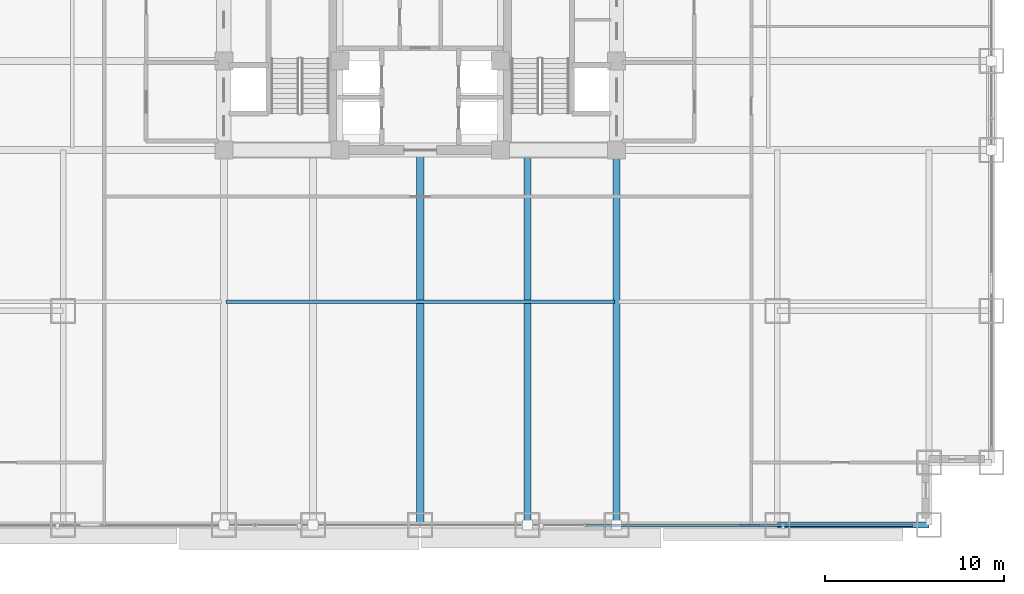
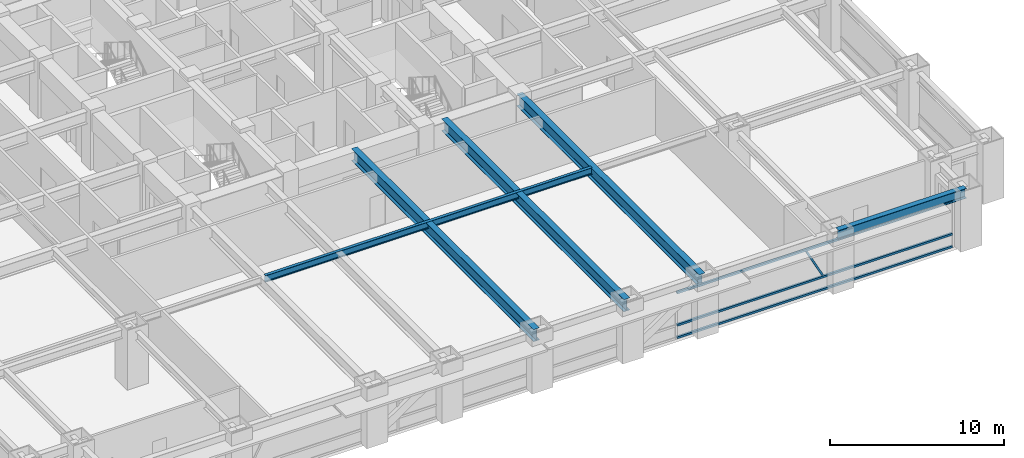
# One storey, part 9 of 31: 5 beams, 4 members, 1 element without a shape of its own.
"""IFC4 building model written with IfcOpenShell, lengths in metres."""

from ifc_helpers import new_model, si_unit, direction, frame, origin, origin_2d, place, context, subcontext, project, spatial, hollow_rectangle, i_section, extrude, source, transform, mapped, material, material_profile, profile_set, type_object, element, aggregate, save


model = new_model("IFC4")

# Units and contexts
model_context = context("Model", 3, precision=1e-05, world=origin(), true_north=direction((0.0, 1.0)))
body_context = subcontext(model_context, "Body", "Model", "MODEL_VIEW")
ifc_project = project(units=[si_unit("LENGTHUNIT", "METRE"), si_unit("AREAUNIT", "SQUARE_METRE"), si_unit("VOLUMEUNIT", "CUBIC_METRE"), si_unit("PLANEANGLEUNIT", "RADIAN"), si_unit("MASSUNIT", "GRAM", prefix="KILO")], contexts=[model_context])

# Site, building, storey
site_placement = place(None, origin())
site = spatial("IfcSite", under=ifc_project, at=site_placement, CompositionType="ELEMENT")
building_placement = place(site_placement, origin())
building = spatial("IfcBuilding", under=site, at=building_placement, Name="Khorayat Bourse Tower", CompositionType="ELEMENT")
storey_placement = place(building_placement, frame((0.0, 0.0, 41.0)))
storey = spatial("IfcBuildingStorey", under=building, at=storey_placement, Name="L08", CompositionType="ELEMENT", Elevation=41.0)

# Beams
ifc_material_1 = material(Name="Steel ASTM A992 Grade 50", Category="steel")
ifc_material_profile_1 = material_profile(ifc_material_1, i_section(OverallWidth=0.35498046875, OverallDepth=0.695068359375, WebThickness=0.015380859375, FlangeThickness=0.02490234375, FilletRadius=0.01806640625, at=origin_2d()), Name="W690X217")
ifc_profile_set_1 = profile_set([ifc_material_profile_1], Name="Steel ASTM A992 Grade 50")
beam_type_1 = type_object("IfcBeamType", Name="BM-SPAN-690", PredefinedType="SPANDREL", material=ifc_profile_set_1)
shared_shape_1 = source(origin(), body_context, "Body", "SweptSolid", [
    extrude(i_section(OverallWidth=0.35498046875, OverallDepth=0.695068359375, WebThickness=0.015380859375, FlangeThickness=0.02490234375, FilletRadius=0.01806640625, at=origin_2d()), origin(), (0.0, 0.0, 1.0), 8.5),
])
beam_1_placement = place(storey_placement, frame((20.0, -32.0, 3.592529296875), z_axis=(1.0, 0.0, 0.0), x_axis=(0.0, 1.0, 0.0)))
element("IfcBeam", 1, at=beam_1_placement, inside=storey, type_object=beam_type_1, Name="L08 BM-SPAN-690 BM-L08-SPN-031", PredefinedType="SPANDREL", context=body_context, shape_type="MappedRepresentation", body=[
    mapped(shared_shape_1, transform((0.0, 0.0, 0.0), scale=1.0)),
])
ifc_material_profile_2 = material_profile(ifc_material_1, i_section(OverallWidth=0.39990234375, OverallDepth=0.85498046875, WebThickness=0.018310546875, FlangeThickness=0.029296875, FilletRadius=0.02001953125, at=origin_2d()), Name="W840X299")
ifc_profile_set_2 = profile_set([ifc_material_profile_2], Name="Steel ASTM A992 Grade 50")
beam_type_2 = type_object("IfcBeamType", Name="BM-GIRD-840", PredefinedType="BEAM", material=ifc_profile_set_2)
shared_shape_2 = source(origin(), body_context, "Body", "SweptSolid", [
    extrude(i_section(OverallWidth=0.39990234375, OverallDepth=0.85498046875, WebThickness=0.018310546875, FlangeThickness=0.029296875, FilletRadius=0.02001953125, at=origin_2d()), origin(), (0.0, 0.0, 1.0), 21.0),
])
for number, where, z_axis, x_axis, name in (
    (2, (0.0, -32.0, 3.512451171875), (0.0, 1.0, 0.0), (-1.0, 0.0, 0.0), "L08 BM-GIRD-840 BM-L08-RADY-069"),
    (3, (6.0, -32.0, 3.512451171875), (0.0, 1.0, 0.0), (-1.0, 0.0, 0.0), "L08 BM-GIRD-840 BM-L08-RADY-071"),
    (4, (11.0, -32.0, 3.512451171875), (0.0, 1.0, 0.0), (-1.0, 0.0, 0.0), "L08 BM-GIRD-840 BM-L08-RADY-073"),
):
    element("IfcBeam", number, at=place(storey_placement, frame(where, z_axis=z_axis, x_axis=x_axis)), inside=storey, type_object=beam_type_2, Name=name, PredefinedType="BEAM", context=body_context, shape_type="MappedRepresentation", body=[
        mapped(shared_shape_2, transform((0.0, 0.0, 0.0), scale=1.0)),
    ])
ifc_material_profile_3 = material_profile(ifc_material_1, i_section(OverallWidth=0.194091796875, OverallDepth=0.468994140625, WebThickness=0.0126953125, FlangeThickness=0.0205078125, FilletRadius=0.012939453125, at=origin_2d()), Name="W460X106")
ifc_profile_set_3 = profile_set([ifc_material_profile_3], Name="Steel ASTM A992 Grade 50")
beam_type_3 = type_object("IfcBeamType", Name="BM-JOIST-460", PredefinedType="JOIST", material=ifc_profile_set_3)
shared_shape_3 = source(origin(), body_context, "Body", "SweptSolid", [
    extrude(i_section(OverallWidth=0.194091796875, OverallDepth=0.468994140625, WebThickness=0.0126953125, FlangeThickness=0.0205078125, FilletRadius=0.012939453125, at=origin_2d()), origin(), (0.0, 0.0, 1.0), 21.740234375),
])
beam_2_placement = place(storey_placement, frame((-10.8701171875, -19.5, 3.70556640625), z_axis=(1.0, 0.0, 0.0), x_axis=(0.0, 1.0, 0.0)))
element("IfcBeam", 5, at=beam_2_placement, inside=storey, type_object=beam_type_3, Name="L08 BM-JOIST-460 BM-L08-JSTX-097", PredefinedType="JOIST", context=body_context, shape_type="MappedRepresentation", body=[
    mapped(shared_shape_3, transform((0.0, 0.0, 0.0), scale=1.0)),
])

# Curtain wall, members
ifc_material_2 = material(Name="Aluminium EN AW-6063 T6", Category="aluminium")
curtain_wall_type = type_object("IfcCurtainWallType", Name="CW-SYS-02", PredefinedType="NOTDEFINED", material=ifc_material_2)
curtain_wall_placement = place(storey_placement, origin())
curtain_wall = element("IfcCurtainWall", 6, at=curtain_wall_placement, inside=storey, type_object=curtain_wall_type, Name="L08 Curtain Wall CW-L08-S1", PredefinedType="NOTDEFINED")
ifc_material_profile_4 = material_profile(ifc_material_2, hollow_rectangle(XDim=0.139892578125, YDim=0.139892578125, WallThickness=0.006103515625, at=origin_2d()), Name="ALU 140x140x6")
ifc_profile_set_4 = profile_set([ifc_material_profile_4], Name="Aluminium EN AW-6063 T6")
member_type_1 = type_object("IfcMemberType", Name="CWT-HORZ-140", PredefinedType="USERDEFINED", material=ifc_profile_set_4)
shared_shape_4 = source(origin(), body_context, "Body", "SweptSolid", [
    extrude(hollow_rectangle(XDim=0.139892578125, YDim=0.139892578125, WallThickness=0.006103515625, at=origin_2d()), origin(), (0.0, 0.0, 1.0), 18.2900390625),
])
member_1_placement = place(storey_placement, frame((9.320068359375, -32.0, 0.070068359375), z_axis=(1.0, 0.0, 0.0), x_axis=(0.0, 1.0, 0.0)))
member_1 = element("IfcMember", 7, at=member_1_placement, type_object=member_type_1, Name="CW-L08-S1 Horizontal Transom 3-1", ObjectType="TRANSOM", PredefinedType="USERDEFINED", context=body_context, shape_type="MappedRepresentation", body=[
    mapped(shared_shape_4, transform((0.0, 0.0, 0.0), scale=1.0)),
])
member_2_placement = place(storey_placement, frame((9.320068359375, -32.0, 0.949951171875), z_axis=(1.0, 0.0, 0.0), x_axis=(0.0, 1.0, 0.0)))
member_2 = element("IfcMember", 8, at=member_2_placement, type_object=member_type_1, Name="CW-L08-S1 Horizontal Transom 3-2", ObjectType="TRANSOM", PredefinedType="USERDEFINED", context=body_context, shape_type="MappedRepresentation", body=[
    mapped(shared_shape_4, transform((0.0, 0.0, 0.0), scale=1.0)),
])
member_3_placement = place(storey_placement, frame((9.320068359375, -32.0, 3.219970703125), z_axis=(1.0, 0.0, 0.0), x_axis=(0.0, 1.0, 0.0)))
member_3 = element("IfcMember", 9, at=member_3_placement, type_object=member_type_1, Name="CW-L08-S1 Horizontal Transom 3-3", ObjectType="TRANSOM", PredefinedType="USERDEFINED", context=body_context, shape_type="MappedRepresentation", body=[
    mapped(shared_shape_4, transform((0.0, 0.0, 0.0), scale=1.0)),
])
ifc_material_profile_5 = material_profile(ifc_material_2, hollow_rectangle(XDim=0.1201171875, YDim=0.1201171875, WallThickness=0.0048828125, at=origin_2d()), Name="ALU 120x120x5")
ifc_profile_set_5 = profile_set([ifc_material_profile_5], Name="Aluminium EN AW-6063 T6")
member_type_2 = type_object("IfcMemberType", Name="CWM-DIAG-120", PredefinedType="MULLION", material=ifc_profile_set_5)
shared_shape_5 = source(origin(), body_context, "Body", "SweptSolid", [
    extrude(hollow_rectangle(XDim=0.1201171875, YDim=0.1201171875, WallThickness=0.0048828125, at=origin_2d()), origin(), (0.0, 0.0, 1.0), 2.22607421875),
])
member_4_placement = place(storey_placement, frame((18.9833984375, -32.0, 1.10009765625), z_axis=(-0.465759992596, 0.0, 0.884911085532), x_axis=(0.0, -1.0, 0.0)))
member_4 = element("IfcMember", 10, at=member_4_placement, type_object=member_type_2, Name="CW-L08-S1 Faceted Diagonal Mullion 3", PredefinedType="MULLION", context=body_context, shape_type="MappedRepresentation", body=[
    mapped(shared_shape_5, transform((0.0, 0.0, 0.0), scale=1.0)),
])
aggregate(curtain_wall, [member_1, member_2, member_3, member_4])

save(model, "model.ifc")
